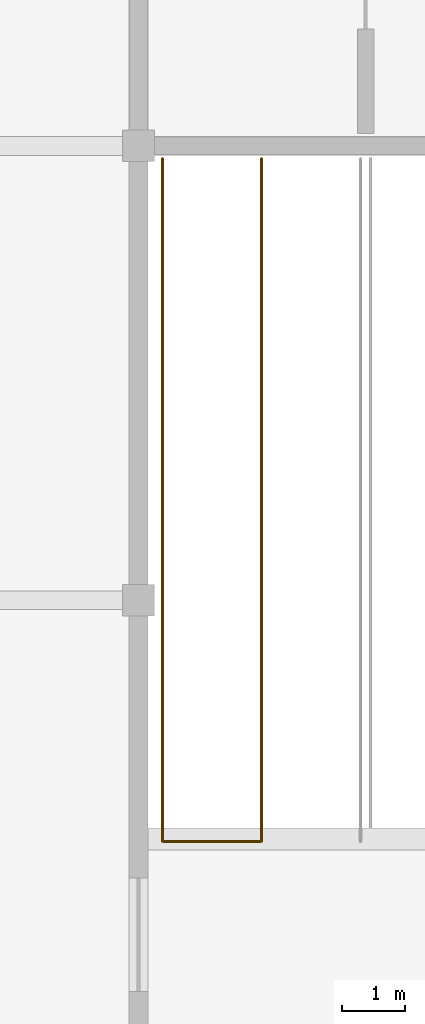
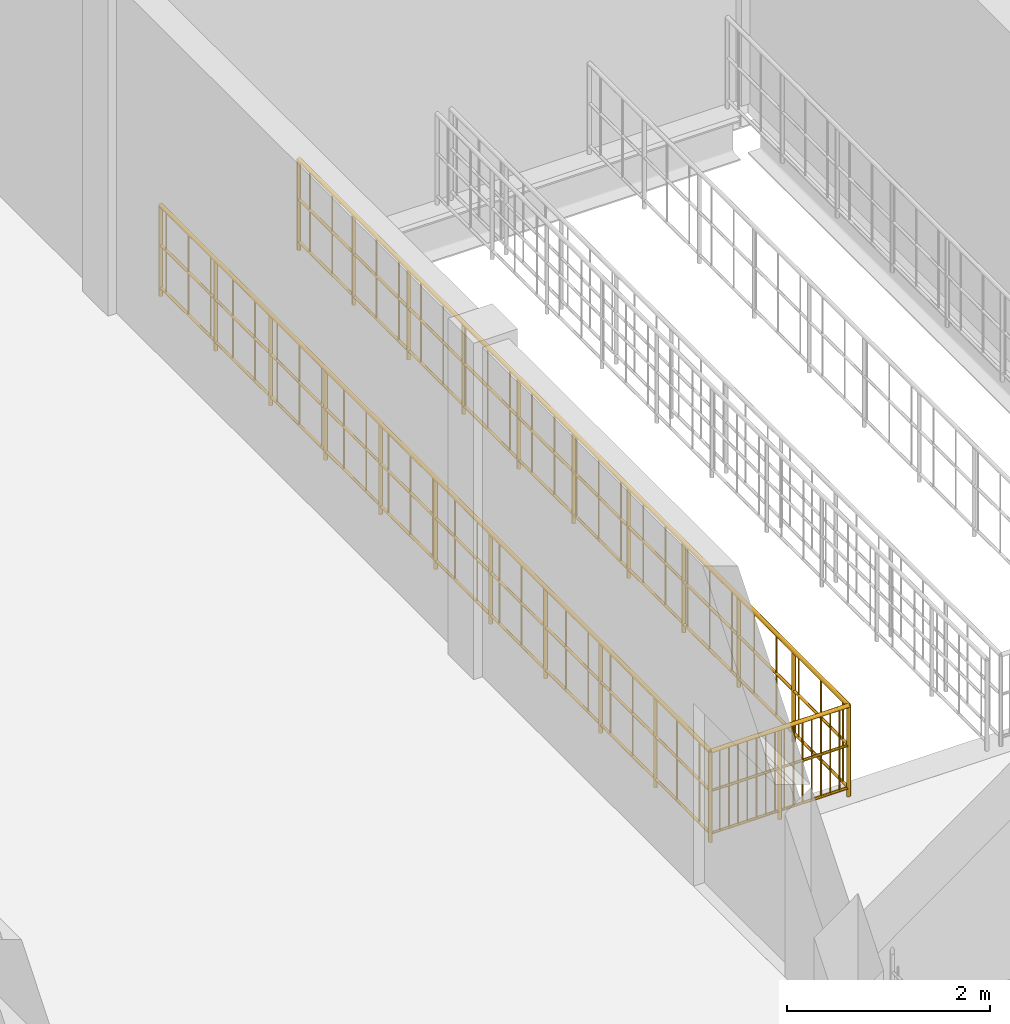
# One storey, part 48 of 51: 1 railing.
"""IFC4 building model written with IfcOpenShell, lengths in metres."""

from ifc_helpers import new_model, si_unit, direction, frame, origin, origin_2d, place, context, subcontext, project, spatial, circle, extrude, material, type_object, element, save


model = new_model("IFC4")

# Units and contexts
model_context = context("Model", 3, precision=1e-05, world=origin(), true_north=direction((0.0, 1.0)))
body_context = subcontext(model_context, "Body", "Model", "MODEL_VIEW")
ifc_project = project(units=[si_unit("LENGTHUNIT", "METRE"), si_unit("AREAUNIT", "SQUARE_METRE"), si_unit("VOLUMEUNIT", "CUBIC_METRE"), si_unit("PLANEANGLEUNIT", "RADIAN"), si_unit("MASSUNIT", "GRAM", prefix="KILO")], contexts=[model_context])

# Site, building, storey
site_placement = place(None, origin())
site = spatial("IfcSite", under=ifc_project, at=site_placement, CompositionType="ELEMENT")
building_placement = place(site_placement, origin())
building = spatial("IfcBuilding", under=site, at=building_placement, Name="Vesperath Aquatics Centre", CompositionType="ELEMENT")
storey_placement = place(building_placement, frame((0.0, 0.0, 15.0)))
storey = spatial("IfcBuildingStorey", under=building, at=storey_placement, Name="L03", CompositionType="ELEMENT", Elevation=15.0)

# Railing
ifc_material = material(Name="Powder-coated galvanized steel safety guard", Category="steel")
railing_type = type_object("IfcRailingType", Name="RL-GRD01", PredefinedType="GUARDRAIL", material=ifc_material)
railing_placement = place(storey_placement, frame((165.97998046875, 79.0, 0.0)))
element("IfcRailing", 1, at=railing_placement, inside=storey, type_object=railing_type, Name="Stair ST13A Top Well Guard GR02 L03", PredefinedType="GUARDRAIL", context=body_context, shape_type="SweptSolid", body=[
    extrude(circle(Radius=0.02392578125, at=origin_2d()), frame((0.0, 0.0, 1.0859375), z_axis=(0.0, -1.0, 0.0), x_axis=(1.0, 0.0, 0.0)), (0.0, 0.0, 1.0), 10.820068359375),
    extrude(circle(Radius=0.01611328125, at=origin_2d()), frame((0.0, 0.0, 0.10009765625), z_axis=(0.0, -1.0, 0.0), x_axis=(1.0, 0.0, 0.0)), (0.0, 0.0, 1.0), 10.820068359375),
    extrude(circle(Radius=0.01611328125, at=origin_2d()), frame((0.0, 0.0, 0.610595703125), z_axis=(0.0, -1.0, 0.0), x_axis=(1.0, 0.0, 0.0)), (0.0, 0.0, 1.0), 10.820068359375),
    extrude(circle(Radius=0.009033203125, at=origin_2d()), frame((0.0, -0.109375, 0.10009765625)), (0.0, 0.0, 1.0), 0.9619140625),
    extrude(circle(Radius=0.009033203125, at=origin_2d()), frame((0.0, -0.54638671875, 0.10009765625)), (0.0, 0.0, 1.0), 0.9619140625),
    extrude(circle(Radius=0.009033203125, at=origin_2d()), frame((0.0, -0.983642578125, 0.10009765625)), (0.0, 0.0, 1.0), 0.9619140625),
    extrude(circle(Radius=0.009033203125, at=origin_2d()), frame((0.0, -1.4208984375, 0.10009765625)), (0.0, 0.0, 1.0), 0.9619140625),
    extrude(circle(Radius=0.009033203125, at=origin_2d()), frame((0.0, -1.85791015625, 0.10009765625)), (0.0, 0.0, 1.0), 0.9619140625),
    extrude(circle(Radius=0.009033203125, at=origin_2d()), frame((0.0, -2.295166015625, 0.10009765625)), (0.0, 0.0, 1.0), 0.9619140625),
    extrude(circle(Radius=0.009033203125, at=origin_2d()), frame((0.0, -2.732421875, 0.10009765625)), (0.0, 0.0, 1.0), 0.9619140625),
    extrude(circle(Radius=0.009033203125, at=origin_2d()), frame((0.0, -3.16943359375, 0.10009765625)), (0.0, 0.0, 1.0), 0.9619140625),
    extrude(circle(Radius=0.009033203125, at=origin_2d()), frame((0.0, -3.606689453125, 0.10009765625)), (0.0, 0.0, 1.0), 0.9619140625),
    extrude(circle(Radius=0.009033203125, at=origin_2d()), frame((0.0, -4.0439453125, 0.10009765625)), (0.0, 0.0, 1.0), 0.9619140625),
    extrude(circle(Radius=0.009033203125, at=origin_2d()), frame((0.0, -4.48095703125, 0.10009765625)), (0.0, 0.0, 1.0), 0.9619140625),
    extrude(circle(Radius=0.009033203125, at=origin_2d()), frame((0.0, -4.918212890625, 0.10009765625)), (0.0, 0.0, 1.0), 0.9619140625),
    extrude(circle(Radius=0.009033203125, at=origin_2d()), frame((0.0, -5.35546875, 0.10009765625)), (0.0, 0.0, 1.0), 0.9619140625),
    extrude(circle(Radius=0.009033203125, at=origin_2d()), frame((0.0, -5.79248046875, 0.10009765625)), (0.0, 0.0, 1.0), 0.9619140625),
    extrude(circle(Radius=0.009033203125, at=origin_2d()), frame((0.0, -6.229736328125, 0.10009765625)), (0.0, 0.0, 1.0), 0.9619140625),
    extrude(circle(Radius=0.009033203125, at=origin_2d()), frame((0.0, -6.6669921875, 0.10009765625)), (0.0, 0.0, 1.0), 0.9619140625),
    extrude(circle(Radius=0.009033203125, at=origin_2d()), frame((0.0, -7.10400390625, 0.10009765625)), (0.0, 0.0, 1.0), 0.9619140625),
    extrude(circle(Radius=0.009033203125, at=origin_2d()), frame((0.0, -7.541259765625, 0.10009765625)), (0.0, 0.0, 1.0), 0.9619140625),
    extrude(circle(Radius=0.009033203125, at=origin_2d()), frame((0.0, -7.978515625, 0.10009765625)), (0.0, 0.0, 1.0), 0.9619140625),
    extrude(circle(Radius=0.009033203125, at=origin_2d()), frame((0.0, -8.41552734375, 0.10009765625)), (0.0, 0.0, 1.0), 0.9619140625),
    extrude(circle(Radius=0.009033203125, at=origin_2d()), frame((0.0, -8.852783203125, 0.10009765625)), (0.0, 0.0, 1.0), 0.9619140625),
    extrude(circle(Radius=0.009033203125, at=origin_2d()), frame((0.0, -9.2900390625, 0.10009765625)), (0.0, 0.0, 1.0), 0.9619140625),
    extrude(circle(Radius=0.009033203125, at=origin_2d()), frame((0.0, -9.72705078125, 0.10009765625)), (0.0, 0.0, 1.0), 0.9619140625),
    extrude(circle(Radius=0.009033203125, at=origin_2d()), frame((0.0, -10.164306640625, 0.10009765625)), (0.0, 0.0, 1.0), 0.9619140625),
    extrude(circle(Radius=0.009033203125, at=origin_2d()), frame((0.0, -10.6015625, 0.10009765625)), (0.0, 0.0, 1.0), 0.9619140625),
    extrude(circle(Radius=0.02392578125, at=origin_2d()), frame((0.0, -10.820068359375, 1.0859375), z_axis=(1.0, 0.0, 0.0), x_axis=(0.0, 1.0, 0.0)), (0.0, 0.0, 1.0), 1.570068359375),
    extrude(circle(Radius=0.01611328125, at=origin_2d()), frame((0.0, -10.820068359375, 0.10009765625), z_axis=(1.0, 0.0, 0.0), x_axis=(0.0, 1.0, 0.0)), (0.0, 0.0, 1.0), 1.570068359375),
    extrude(circle(Radius=0.01611328125, at=origin_2d()), frame((0.0, -10.820068359375, 0.610595703125), z_axis=(1.0, 0.0, 0.0), x_axis=(0.0, 1.0, 0.0)), (0.0, 0.0, 1.0), 1.570068359375),
    extrude(circle(Radius=0.009033203125, at=origin_2d()), frame((0.104736328125, -10.820068359375, 0.10009765625)), (0.0, 0.0, 1.0), 0.9619140625),
    extrude(circle(Radius=0.009033203125, at=origin_2d()), frame((0.209228515625, -10.820068359375, 0.10009765625)), (0.0, 0.0, 1.0), 0.9619140625),
    extrude(circle(Radius=0.009033203125, at=origin_2d()), frame((0.31396484375, -10.820068359375, 0.10009765625)), (0.0, 0.0, 1.0), 0.9619140625),
    extrude(circle(Radius=0.009033203125, at=origin_2d()), frame((0.418701171875, -10.820068359375, 0.10009765625)), (0.0, 0.0, 1.0), 0.9619140625),
    extrude(circle(Radius=0.009033203125, at=origin_2d()), frame((0.5234375, -10.820068359375, 0.10009765625)), (0.0, 0.0, 1.0), 0.9619140625),
    extrude(circle(Radius=0.009033203125, at=origin_2d()), frame((0.6279296875, -10.820068359375, 0.10009765625)), (0.0, 0.0, 1.0), 0.9619140625),
    extrude(circle(Radius=0.009033203125, at=origin_2d()), frame((0.732666015625, -10.820068359375, 0.10009765625)), (0.0, 0.0, 1.0), 0.9619140625),
    extrude(circle(Radius=0.009033203125, at=origin_2d()), frame((0.83740234375, -10.820068359375, 0.10009765625)), (0.0, 0.0, 1.0), 0.9619140625),
    extrude(circle(Radius=0.009033203125, at=origin_2d()), frame((0.942138671875, -10.820068359375, 0.10009765625)), (0.0, 0.0, 1.0), 0.9619140625),
    extrude(circle(Radius=0.009033203125, at=origin_2d()), frame((1.046630859375, -10.820068359375, 0.10009765625)), (0.0, 0.0, 1.0), 0.9619140625),
    extrude(circle(Radius=0.009033203125, at=origin_2d()), frame((1.1513671875, -10.820068359375, 0.10009765625)), (0.0, 0.0, 1.0), 0.9619140625),
    extrude(circle(Radius=0.009033203125, at=origin_2d()), frame((1.256103515625, -10.820068359375, 0.10009765625)), (0.0, 0.0, 1.0), 0.9619140625),
    extrude(circle(Radius=0.009033203125, at=origin_2d()), frame((1.36083984375, -10.820068359375, 0.10009765625)), (0.0, 0.0, 1.0), 0.9619140625),
    extrude(circle(Radius=0.009033203125, at=origin_2d()), frame((1.46533203125, -10.820068359375, 0.10009765625)), (0.0, 0.0, 1.0), 0.9619140625),
    extrude(circle(Radius=0.02392578125, at=origin_2d()), frame((1.570068359375, -10.820068359375, 1.0859375), z_axis=(0.0, 1.0, 0.0), x_axis=(-1.0, 0.0, 0.0)), (0.0, 0.0, 1.0), 10.820068359375),
    extrude(circle(Radius=0.01611328125, at=origin_2d()), frame((1.570068359375, -10.820068359375, 0.10009765625), z_axis=(0.0, 1.0, 0.0), x_axis=(-1.0, 0.0, 0.0)), (0.0, 0.0, 1.0), 10.820068359375),
    extrude(circle(Radius=0.01611328125, at=origin_2d()), frame((1.570068359375, -10.820068359375, 0.610595703125), z_axis=(0.0, 1.0, 0.0), x_axis=(-1.0, 0.0, 0.0)), (0.0, 0.0, 1.0), 10.820068359375),
    extrude(circle(Radius=0.009033203125, at=origin_2d()), frame((1.570068359375, -10.710693359375, 0.10009765625)), (0.0, 0.0, 1.0), 0.9619140625),
    extrude(circle(Radius=0.009033203125, at=origin_2d()), frame((1.570068359375, -10.273681640625, 0.10009765625)), (0.0, 0.0, 1.0), 0.9619140625),
    extrude(circle(Radius=0.009033203125, at=origin_2d()), frame((1.570068359375, -9.83642578125, 0.10009765625)), (0.0, 0.0, 1.0), 0.9619140625),
    extrude(circle(Radius=0.009033203125, at=origin_2d()), frame((1.570068359375, -9.399169921875, 0.10009765625)), (0.0, 0.0, 1.0), 0.9619140625),
    extrude(circle(Radius=0.009033203125, at=origin_2d()), frame((1.570068359375, -8.962158203125, 0.10009765625)), (0.0, 0.0, 1.0), 0.9619140625),
    extrude(circle(Radius=0.009033203125, at=origin_2d()), frame((1.570068359375, -8.52490234375, 0.10009765625)), (0.0, 0.0, 1.0), 0.9619140625),
    extrude(circle(Radius=0.009033203125, at=origin_2d()), frame((1.570068359375, -8.087646484375, 0.10009765625)), (0.0, 0.0, 1.0), 0.9619140625),
    extrude(circle(Radius=0.009033203125, at=origin_2d()), frame((1.570068359375, -7.650634765625, 0.10009765625)), (0.0, 0.0, 1.0), 0.9619140625),
    extrude(circle(Radius=0.009033203125, at=origin_2d()), frame((1.570068359375, -7.21337890625, 0.10009765625)), (0.0, 0.0, 1.0), 0.9619140625),
    extrude(circle(Radius=0.009033203125, at=origin_2d()), frame((1.570068359375, -6.776123046875, 0.10009765625)), (0.0, 0.0, 1.0), 0.9619140625),
    extrude(circle(Radius=0.009033203125, at=origin_2d()), frame((1.570068359375, -6.339111328125, 0.10009765625)), (0.0, 0.0, 1.0), 0.9619140625),
    extrude(circle(Radius=0.009033203125, at=origin_2d()), frame((1.570068359375, -5.90185546875, 0.10009765625)), (0.0, 0.0, 1.0), 0.9619140625),
    extrude(circle(Radius=0.009033203125, at=origin_2d()), frame((1.570068359375, -5.464599609375, 0.10009765625)), (0.0, 0.0, 1.0), 0.9619140625),
    extrude(circle(Radius=0.009033203125, at=origin_2d()), frame((1.570068359375, -5.027587890625, 0.10009765625)), (0.0, 0.0, 1.0), 0.9619140625),
    extrude(circle(Radius=0.009033203125, at=origin_2d()), frame((1.570068359375, -4.59033203125, 0.10009765625)), (0.0, 0.0, 1.0), 0.9619140625),
    extrude(circle(Radius=0.009033203125, at=origin_2d()), frame((1.570068359375, -4.153076171875, 0.10009765625)), (0.0, 0.0, 1.0), 0.9619140625),
    extrude(circle(Radius=0.009033203125, at=origin_2d()), frame((1.570068359375, -3.716064453125, 0.10009765625)), (0.0, 0.0, 1.0), 0.9619140625),
    extrude(circle(Radius=0.009033203125, at=origin_2d()), frame((1.570068359375, -3.27880859375, 0.10009765625)), (0.0, 0.0, 1.0), 0.9619140625),
    extrude(circle(Radius=0.009033203125, at=origin_2d()), frame((1.570068359375, -2.841552734375, 0.10009765625)), (0.0, 0.0, 1.0), 0.9619140625),
    extrude(circle(Radius=0.009033203125, at=origin_2d()), frame((1.570068359375, -2.404541015625, 0.10009765625)), (0.0, 0.0, 1.0), 0.9619140625),
    extrude(circle(Radius=0.009033203125, at=origin_2d()), frame((1.570068359375, -1.96728515625, 0.10009765625)), (0.0, 0.0, 1.0), 0.9619140625),
    extrude(circle(Radius=0.009033203125, at=origin_2d()), frame((1.570068359375, -1.530029296875, 0.10009765625)), (0.0, 0.0, 1.0), 0.9619140625),
    extrude(circle(Radius=0.009033203125, at=origin_2d()), frame((1.570068359375, -1.093017578125, 0.10009765625)), (0.0, 0.0, 1.0), 0.9619140625),
    extrude(circle(Radius=0.009033203125, at=origin_2d()), frame((1.570068359375, -0.65576171875, 0.10009765625)), (0.0, 0.0, 1.0), 0.9619140625),
    extrude(circle(Radius=0.009033203125, at=origin_2d()), frame((1.570068359375, -0.218505859375, 0.10009765625)), (0.0, 0.0, 1.0), 0.9619140625),
    extrude(circle(Radius=0.02197265625, at=origin_2d()), origin(), (0.0, 0.0, 1.0), 1.0859375),
    extrude(circle(Radius=0.02197265625, at=origin_2d()), frame((0.0, -1.08203125, 0.0)), (0.0, 0.0, 1.0), 1.0859375),
    extrude(circle(Radius=0.02197265625, at=origin_2d()), frame((0.0, -2.1640625, 0.0)), (0.0, 0.0, 1.0), 1.0859375),
    extrude(circle(Radius=0.02197265625, at=origin_2d()), frame((0.0, -3.24609375, 0.0)), (0.0, 0.0, 1.0), 1.0859375),
    extrude(circle(Radius=0.02197265625, at=origin_2d()), frame((0.0, -4.328125, 0.0)), (0.0, 0.0, 1.0), 1.0859375),
    extrude(circle(Radius=0.02197265625, at=origin_2d()), frame((0.0, -5.41015625, 0.0)), (0.0, 0.0, 1.0), 1.0859375),
    extrude(circle(Radius=0.02197265625, at=origin_2d()), frame((0.0, -6.491943359375, 0.0)), (0.0, 0.0, 1.0), 1.0859375),
    extrude(circle(Radius=0.02197265625, at=origin_2d()), frame((0.0, -7.573974609375, 0.0)), (0.0, 0.0, 1.0), 1.0859375),
    extrude(circle(Radius=0.02197265625, at=origin_2d()), frame((0.0, -8.656005859375, 0.0)), (0.0, 0.0, 1.0), 1.0859375),
    extrude(circle(Radius=0.02197265625, at=origin_2d()), frame((0.0, -9.738037109375, 0.0)), (0.0, 0.0, 1.0), 1.0859375),
    extrude(circle(Radius=0.02197265625, at=origin_2d()), frame((0.0, -10.820068359375, 0.0)), (0.0, 0.0, 1.0), 1.0859375),
    extrude(circle(Radius=0.02197265625, at=origin_2d()), frame((0.78515625, -10.820068359375, 0.0)), (0.0, 0.0, 1.0), 1.0859375),
    extrude(circle(Radius=0.02197265625, at=origin_2d()), frame((1.570068359375, -10.820068359375, 0.0)), (0.0, 0.0, 1.0), 1.0859375),
    extrude(circle(Radius=0.02197265625, at=origin_2d()), frame((1.570068359375, -9.738037109375, 0.0)), (0.0, 0.0, 1.0), 1.0859375),
    extrude(circle(Radius=0.02197265625, at=origin_2d()), frame((1.570068359375, -8.656005859375, 0.0)), (0.0, 0.0, 1.0), 1.0859375),
    extrude(circle(Radius=0.02197265625, at=origin_2d()), frame((1.570068359375, -7.573974609375, 0.0)), (0.0, 0.0, 1.0), 1.0859375),
    extrude(circle(Radius=0.02197265625, at=origin_2d()), frame((1.570068359375, -6.491943359375, 0.0)), (0.0, 0.0, 1.0), 1.0859375),
    extrude(circle(Radius=0.02197265625, at=origin_2d()), frame((1.570068359375, -5.41015625, 0.0)), (0.0, 0.0, 1.0), 1.0859375),
    extrude(circle(Radius=0.02197265625, at=origin_2d()), frame((1.570068359375, -4.328125, 0.0)), (0.0, 0.0, 1.0), 1.0859375),
    extrude(circle(Radius=0.02197265625, at=origin_2d()), frame((1.570068359375, -3.24609375, 0.0)), (0.0, 0.0, 1.0), 1.0859375),
    extrude(circle(Radius=0.02197265625, at=origin_2d()), frame((1.570068359375, -2.1640625, 0.0)), (0.0, 0.0, 1.0), 1.0859375),
    extrude(circle(Radius=0.02197265625, at=origin_2d()), frame((1.570068359375, -1.08203125, 0.0)), (0.0, 0.0, 1.0), 1.0859375),
    extrude(circle(Radius=0.02197265625, at=origin_2d()), frame((1.570068359375, 0.0, 0.0)), (0.0, 0.0, 1.0), 1.0859375),
])

save(model, "model.ifc")
